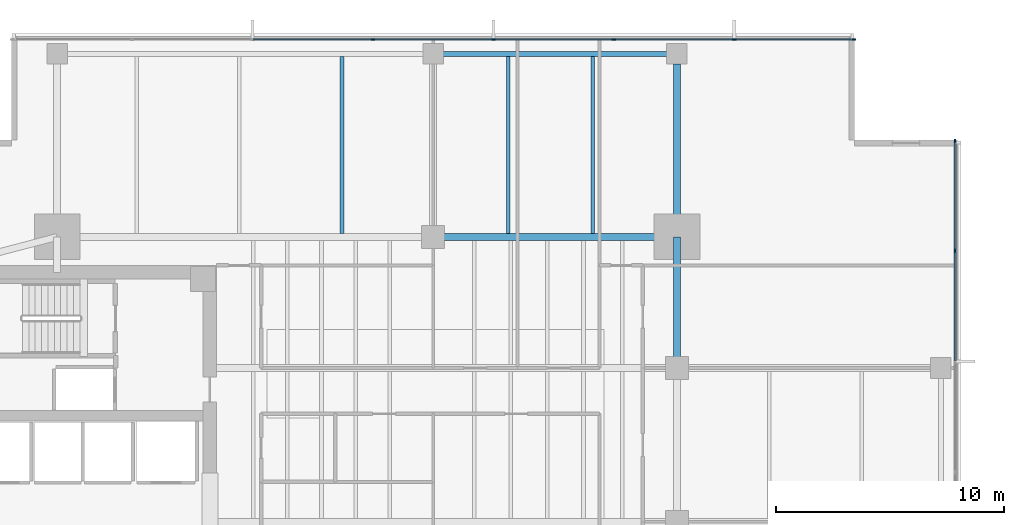
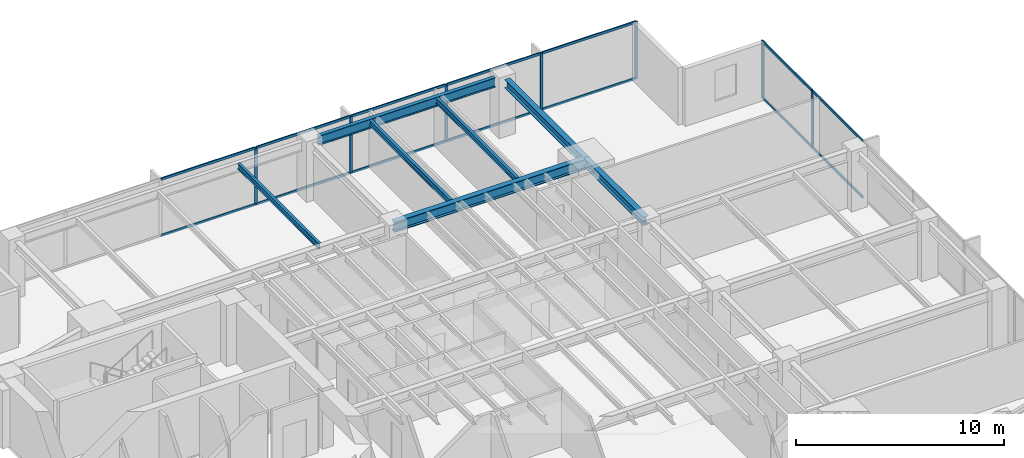
# One storey, part 6 of 14: 21 members, 7 beams, 2 elements without a shape of their own.
"""IFC4 building model written with IfcOpenShell, lengths in metres."""

from ifc_helpers import new_model, si_unit, direction, frame, origin, origin_2d, place, context, subcontext, project, spatial, rectangle, i_section, extrude, material, layer, layer_set, material_profile, profile_set, type_object, element, aggregate, save


model = new_model("IFC4")

# Units and contexts
model_context = context("Model", 3, precision=1e-05, world=origin(), true_north=direction((0.0, 1.0)))
body_context = subcontext(model_context, "Body", "Model", "MODEL_VIEW")
ifc_project = project(units=[si_unit("LENGTHUNIT", "METRE"), si_unit("AREAUNIT", "SQUARE_METRE"), si_unit("VOLUMEUNIT", "CUBIC_METRE"), si_unit("PLANEANGLEUNIT", "RADIAN"), si_unit("MASSUNIT", "GRAM", prefix="KILO")], contexts=[model_context])

# Site, building, storey
site_placement = place(None, origin())
site = spatial("IfcSite", under=ifc_project, at=site_placement, CompositionType="ELEMENT")
building_placement = place(site_placement, origin())
building = spatial("IfcBuilding", under=site, at=building_placement, Name="Kinhvarn Gate Tower", CompositionType="ELEMENT")
storey_placement = place(building_placement, frame((0.0, 0.0, 155.5)))
storey = spatial("IfcBuildingStorey", under=building, at=storey_placement, Name="L41", CompositionType="ELEMENT", Elevation=155.5)

# Curtain wall, members
ifc_material_1 = material(Name="Anodised aluminium AW-6063", Category="aluminium")
ifc_layer = layer(ifc_material_1, 0.179931640625)
ifc_layer_set = layer_set([ifc_layer], Name="Anodised aluminium AW-6063")
curtain_wall_type = type_object("IfcCurtainWallType", Name="CW-SYS-3", PredefinedType="NOTDEFINED", material=ifc_layer_set)
curtain_wall_1_placement = place(storey_placement, origin())
curtain_wall_1 = element("IfcCurtainWall", 1, at=curtain_wall_1_placement, inside=storey, type_object=curtain_wall_type, Name="Curtain Wall CW3 (L41)", PredefinedType="NOTDEFINED")
ifc_material_profile_1 = material_profile(ifc_material_1, rectangle(XDim=0.06494140625, YDim=0.159912109375, at=origin_2d()), Name="ALU 65x160")
ifc_profile_set_1 = profile_set([ifc_material_profile_1], Name="Anodised aluminium AW-6063")
member_type_1 = type_object("IfcMemberType", Name="CW-MUL-160", PredefinedType="MULLION", material=ifc_profile_set_1)
member_1_placement = place(storey_placement, frame((45.967529296875, 46.409912109375, 0.0), z_axis=(0.0, 0.0, 1.0), x_axis=(0.0, -1.0, 0.0)))
member_1 = element("IfcMember", 2, at=member_1_placement, type_object=member_type_1, Name="CW3 mullion 1", PredefinedType="MULLION", context=body_context, shape_type="SweptSolid", body=[
    extrude(rectangle(XDim=0.06494140625, YDim=0.159912109375, at=origin_2d()), origin(), (0.0, 0.0, 1.0), 3.3701171875),
])
member_2_placement = place(storey_placement, frame((40.71435546875, 46.409912109375, 0.0), z_axis=(0.0, 0.0, 1.0), x_axis=(0.0, -1.0, 0.0)))
member_2 = element("IfcMember", 3, at=member_2_placement, type_object=member_type_1, Name="CW3 mullion 2", PredefinedType="MULLION", context=body_context, shape_type="SweptSolid", body=[
    extrude(rectangle(XDim=0.06494140625, YDim=0.159912109375, at=origin_2d()), origin(), (0.0, 0.0, 1.0), 3.3701171875),
])
member_3_placement = place(storey_placement, frame((35.428466796875, 46.409912109375, 0.0), z_axis=(0.0, 0.0, 1.0), x_axis=(0.0, -1.0, 0.0)))
member_3 = element("IfcMember", 4, at=member_3_placement, type_object=member_type_1, Name="CW3 mullion 3", PredefinedType="MULLION", context=body_context, shape_type="SweptSolid", body=[
    extrude(rectangle(XDim=0.06494140625, YDim=0.159912109375, at=origin_2d()), origin(), (0.0, 0.0, 1.0), 3.3701171875),
])
member_4_placement = place(storey_placement, frame((30.142822265625, 46.409912109375, 0.0), z_axis=(0.0, 0.0, 1.0), x_axis=(0.0, -1.0, 0.0)))
member_4 = element("IfcMember", 5, at=member_4_placement, type_object=member_type_1, Name="CW3 mullion 4", PredefinedType="MULLION", context=body_context, shape_type="SweptSolid", body=[
    extrude(rectangle(XDim=0.06494140625, YDim=0.159912109375, at=origin_2d()), origin(), (0.0, 0.0, 1.0), 3.3701171875),
])
member_5_placement = place(storey_placement, frame((24.857177734375, 46.409912109375, 0.0), z_axis=(0.0, 0.0, 1.0), x_axis=(0.0, -1.0, 0.0)))
member_5 = element("IfcMember", 6, at=member_5_placement, type_object=member_type_1, Name="CW3 mullion 5", PredefinedType="MULLION", context=body_context, shape_type="SweptSolid", body=[
    extrude(rectangle(XDim=0.06494140625, YDim=0.159912109375, at=origin_2d()), origin(), (0.0, 0.0, 1.0), 3.3701171875),
])

curtain_wall_2_placement = place(storey_placement, origin())
curtain_wall_2 = element("IfcCurtainWall", 7, at=curtain_wall_2_placement, inside=storey, type_object=curtain_wall_type, Name="Curtain Wall CW3 (L41)", PredefinedType="NOTDEFINED")
member_6_placement = place(storey_placement, frame((50.409912109375, 37.142822265625, 0.0), z_axis=(0.0, 0.0, 1.0), x_axis=(-1.0, 0.0, 0.0)))
member_6 = element("IfcMember", 8, at=member_6_placement, type_object=member_type_1, Name="CW3 mullion 7", PredefinedType="MULLION", context=body_context, shape_type="SweptSolid", body=[
    extrude(rectangle(XDim=0.06494140625, YDim=0.159912109375, at=origin_2d()), origin(), (0.0, 0.0, 1.0), 3.3701171875),
])
member_7_placement = place(storey_placement, frame((50.409912109375, 41.967529296875, 0.0), z_axis=(0.0, 0.0, 1.0), x_axis=(-1.0, 0.0, 0.0)))
member_7 = element("IfcMember", 9, at=member_7_placement, type_object=member_type_1, Name="CW3 mullion 8", PredefinedType="MULLION", context=body_context, shape_type="SweptSolid", body=[
    extrude(rectangle(XDim=0.06494140625, YDim=0.159912109375, at=origin_2d()), origin(), (0.0, 0.0, 1.0), 3.3701171875),
])

# Member
ifc_material_profile_2 = material_profile(ifc_material_1, rectangle(XDim=0.070068359375, YDim=0.139892578125, at=origin_2d()), Name="ALU 70x140")
ifc_profile_set_2 = profile_set([ifc_material_profile_2], Name="Anodised aluminium AW-6063")
member_type_2 = type_object("IfcMemberType", Name="CW-TRN-140", PredefinedType="USERDEFINED", material=ifc_profile_set_2)
member_8_placement = place(storey_placement, frame((45.93505859375, 46.409912109375, 0.034912109375), z_axis=(-1.0, 0.0, 0.0), x_axis=(0.0, -1.0, 0.0)))
member_8 = element("IfcMember", 10, at=member_8_placement, type_object=member_type_2, Name="CW3 transom 1.1", ObjectType="TRANSOM", PredefinedType="USERDEFINED", context=body_context, shape_type="SweptSolid", body=[
    extrude(rectangle(XDim=0.070068359375, YDim=0.139892578125, at=origin_2d()), origin(), (0.0, 0.0, 1.0), 5.188232421875),
])

member_9_placement = place(storey_placement, frame((45.93505859375, 46.409912109375, 3.3349609375), z_axis=(-1.0, 0.0, 0.0), x_axis=(0.0, -1.0, 0.0)))
member_9 = element("IfcMember", 11, at=member_9_placement, type_object=member_type_2, Name="CW3 transom 1.2", ObjectType="TRANSOM", PredefinedType="USERDEFINED", context=body_context, shape_type="SweptSolid", body=[
    extrude(rectangle(XDim=0.070068359375, YDim=0.139892578125, at=origin_2d()), origin(), (0.0, 0.0, 1.0), 5.188232421875),
])

member_10_placement = place(storey_placement, frame((40.681884765625, 46.409912109375, 0.034912109375), z_axis=(-1.0, 0.0, 0.0), x_axis=(0.0, -1.0, 0.0)))
member_10 = element("IfcMember", 12, at=member_10_placement, type_object=member_type_2, Name="CW3 transom 2.1", ObjectType="TRANSOM", PredefinedType="USERDEFINED", context=body_context, shape_type="SweptSolid", body=[
    extrude(rectangle(XDim=0.070068359375, YDim=0.139892578125, at=origin_2d()), origin(), (0.0, 0.0, 1.0), 5.220703125),
])

member_11_placement = place(storey_placement, frame((40.681884765625, 46.409912109375, 3.3349609375), z_axis=(-1.0, 0.0, 0.0), x_axis=(0.0, -1.0, 0.0)))
member_11 = element("IfcMember", 13, at=member_11_placement, type_object=member_type_2, Name="CW3 transom 2.2", ObjectType="TRANSOM", PredefinedType="USERDEFINED", context=body_context, shape_type="SweptSolid", body=[
    extrude(rectangle(XDim=0.070068359375, YDim=0.139892578125, at=origin_2d()), origin(), (0.0, 0.0, 1.0), 5.220703125),
])

member_12_placement = place(storey_placement, frame((35.39599609375, 46.409912109375, 0.034912109375), z_axis=(-1.0, 0.0, 0.0), x_axis=(0.0, -1.0, 0.0)))
member_12 = element("IfcMember", 14, at=member_12_placement, type_object=member_type_2, Name="CW3 transom 3.1", ObjectType="TRANSOM", PredefinedType="USERDEFINED", context=body_context, shape_type="SweptSolid", body=[
    extrude(rectangle(XDim=0.070068359375, YDim=0.139892578125, at=origin_2d()), origin(), (0.0, 0.0, 1.0), 5.220703125),
])

member_13_placement = place(storey_placement, frame((35.39599609375, 46.409912109375, 3.3349609375), z_axis=(-1.0, 0.0, 0.0), x_axis=(0.0, -1.0, 0.0)))
member_13 = element("IfcMember", 15, at=member_13_placement, type_object=member_type_2, Name="CW3 transom 3.2", ObjectType="TRANSOM", PredefinedType="USERDEFINED", context=body_context, shape_type="SweptSolid", body=[
    extrude(rectangle(XDim=0.070068359375, YDim=0.139892578125, at=origin_2d()), origin(), (0.0, 0.0, 1.0), 5.220703125),
])

member_14_placement = place(storey_placement, frame((30.1103515625, 46.409912109375, 0.034912109375), z_axis=(-1.0, 0.0, 0.0), x_axis=(0.0, -1.0, 0.0)))
member_14 = element("IfcMember", 16, at=member_14_placement, type_object=member_type_2, Name="CW3 transom 4.1", ObjectType="TRANSOM", PredefinedType="USERDEFINED", context=body_context, shape_type="SweptSolid", body=[
    extrude(rectangle(XDim=0.070068359375, YDim=0.139892578125, at=origin_2d()), origin(), (0.0, 0.0, 1.0), 5.220703125),
])

member_15_placement = place(storey_placement, frame((30.1103515625, 46.409912109375, 3.3349609375), z_axis=(-1.0, 0.0, 0.0), x_axis=(0.0, -1.0, 0.0)))
member_15 = element("IfcMember", 17, at=member_15_placement, type_object=member_type_2, Name="CW3 transom 4.2", ObjectType="TRANSOM", PredefinedType="USERDEFINED", context=body_context, shape_type="SweptSolid", body=[
    extrude(rectangle(XDim=0.070068359375, YDim=0.139892578125, at=origin_2d()), origin(), (0.0, 0.0, 1.0), 5.220703125),
])

member_16_placement = place(storey_placement, frame((24.82470703125, 46.409912109375, 0.034912109375), z_axis=(-1.0, 0.0, 0.0), x_axis=(0.0, -1.0, 0.0)))
member_16 = element("IfcMember", 18, at=member_16_placement, type_object=member_type_2, Name="CW3 transom 5.1", ObjectType="TRANSOM", PredefinedType="USERDEFINED", context=body_context, shape_type="SweptSolid", body=[
    extrude(rectangle(XDim=0.070068359375, YDim=0.139892578125, at=origin_2d()), origin(), (0.0, 0.0, 1.0), 5.220703125),
])

member_17_placement = place(storey_placement, frame((24.82470703125, 46.409912109375, 3.3349609375), z_axis=(-1.0, 0.0, 0.0), x_axis=(0.0, -1.0, 0.0)))
member_17 = element("IfcMember", 19, at=member_17_placement, type_object=member_type_2, Name="CW3 transom 5.2", ObjectType="TRANSOM", PredefinedType="USERDEFINED", context=body_context, shape_type="SweptSolid", body=[
    extrude(rectangle(XDim=0.070068359375, YDim=0.139892578125, at=origin_2d()), origin(), (0.0, 0.0, 1.0), 5.220703125),
])

aggregate(curtain_wall_1, [member_1, member_2, member_3, member_4, member_5, member_8, member_9, member_10, member_11, member_12, member_13, member_14, member_15, member_16, member_17])

member_18_placement = place(storey_placement, frame((50.409912109375, 32.318115234375, 0.034912109375), z_axis=(0.0, 1.0, 0.0), x_axis=(-1.0, 0.0, 0.0)))
member_18 = element("IfcMember", 20, at=member_18_placement, type_object=member_type_2, Name="CW3 transom 6.1", ObjectType="TRANSOM", PredefinedType="USERDEFINED", context=body_context, shape_type="SweptSolid", body=[
    extrude(rectangle(XDim=0.070068359375, YDim=0.139892578125, at=origin_2d()), origin(), (0.0, 0.0, 1.0), 4.792236328125),
])

member_19_placement = place(storey_placement, frame((50.409912109375, 32.318115234375, 3.3349609375), z_axis=(0.0, 1.0, 0.0), x_axis=(-1.0, 0.0, 0.0)))
member_19 = element("IfcMember", 21, at=member_19_placement, type_object=member_type_2, Name="CW3 transom 6.2", ObjectType="TRANSOM", PredefinedType="USERDEFINED", context=body_context, shape_type="SweptSolid", body=[
    extrude(rectangle(XDim=0.070068359375, YDim=0.139892578125, at=origin_2d()), origin(), (0.0, 0.0, 1.0), 4.792236328125),
])

member_20_placement = place(storey_placement, frame((50.409912109375, 37.17529296875, 0.034912109375), z_axis=(0.0, 1.0, 0.0), x_axis=(-1.0, 0.0, 0.0)))
member_20 = element("IfcMember", 22, at=member_20_placement, type_object=member_type_2, Name="CW3 transom 7.1", ObjectType="TRANSOM", PredefinedType="USERDEFINED", context=body_context, shape_type="SweptSolid", body=[
    extrude(rectangle(XDim=0.070068359375, YDim=0.139892578125, at=origin_2d()), origin(), (0.0, 0.0, 1.0), 4.759765625),
])

member_21_placement = place(storey_placement, frame((50.409912109375, 37.17529296875, 3.3349609375), z_axis=(0.0, 1.0, 0.0), x_axis=(-1.0, 0.0, 0.0)))
member_21 = element("IfcMember", 23, at=member_21_placement, type_object=member_type_2, Name="CW3 transom 7.2", ObjectType="TRANSOM", PredefinedType="USERDEFINED", context=body_context, shape_type="SweptSolid", body=[
    extrude(rectangle(XDim=0.070068359375, YDim=0.139892578125, at=origin_2d()), origin(), (0.0, 0.0, 1.0), 4.759765625),
])

aggregate(curtain_wall_2, [member_6, member_7, member_18, member_19, member_20, member_21])

# Beams
ifc_material_2 = material(Name="Steel S355", Category="steel")
ifc_material_profile_3 = material_profile(ifc_material_2, i_section(OverallWidth=0.300048828125, OverallDepth=0.5, WebThickness=0.014404296875, FlangeThickness=0.028076171875, at=origin_2d()), Name="HEB 500")
ifc_profile_set_3 = profile_set([ifc_material_profile_3], Name="Steel S355")
beam_type_1 = type_object("IfcBeamType", Name="STL-HEB500", PredefinedType="BEAM", material=ifc_profile_set_3)
beam_1_placement = place(storey_placement, frame((38.199951171875, 37.75, 3.1201171875), z_axis=(0.0, 1.0, 0.0), x_axis=(-1.0, 0.0, 0.0)))
element("IfcBeam", 24, at=beam_1_placement, inside=storey, type_object=beam_type_1, Name="Floor Beam PG-14 (L41 MCE-N)", PredefinedType="BEAM", context=body_context, shape_type="SweptSolid", body=[
    extrude(i_section(OverallWidth=0.300048828125, OverallDepth=0.5, WebThickness=0.014404296875, FlangeThickness=0.028076171875, at=origin_2d()), origin(), (0.0, 0.0, 1.0), 7.594970703125),
])
beam_2_placement = place(storey_placement, frame((38.199951171875, 32.0, 3.1201171875), z_axis=(0.0, 1.0, 0.0), x_axis=(-1.0, 0.0, 0.0)))
element("IfcBeam", 25, at=beam_2_placement, inside=storey, type_object=beam_type_1, Name="Floor Beam PG-14 (L41 MG-E-32)", PredefinedType="BEAM", context=body_context, shape_type="SweptSolid", body=[
    extrude(i_section(OverallWidth=0.300048828125, OverallDepth=0.5, WebThickness=0.014404296875, FlangeThickness=0.028076171875, at=origin_2d()), origin(), (0.0, 0.0, 1.0), 5.75),
])
ifc_material_profile_4 = material_profile(ifc_material_2, i_section(OverallWidth=0.300048828125, OverallDepth=0.60009765625, WebThickness=0.015380859375, FlangeThickness=0.030029296875, at=origin_2d()), Name="HEB 600")
ifc_profile_set_4 = profile_set([ifc_material_profile_4], Name="Steel S355")
beam_type_2 = type_object("IfcBeamType", Name="STL-HEB600", PredefinedType="BEAM", material=ifc_profile_set_4)
beam_3_placement = place(storey_placement, frame((27.5, 37.75, 3.070068359375), z_axis=(1.0, 0.0, 0.0), x_axis=(0.0, 1.0, 0.0)))
element("IfcBeam", 26, at=beam_3_placement, inside=storey, type_object=beam_type_2, Name="Floor Beam PG-16 (L41 MG-N2)", PredefinedType="BEAM", context=body_context, shape_type="SweptSolid", body=[
    extrude(i_section(OverallWidth=0.300048828125, OverallDepth=0.60009765625, WebThickness=0.015380859375, FlangeThickness=0.030029296875, at=origin_2d()), origin(), (0.0, 0.0, 1.0), 10.699951171875),
])
ifc_material_profile_5 = material_profile(ifc_material_2, i_section(OverallWidth=0.159912109375, OverallDepth=0.330078125, WebThickness=0.007568359375, FlangeThickness=0.011474609375, at=origin_2d()), Name="IPE 330")
ifc_profile_set_5 = profile_set([ifc_material_profile_5], Name="Steel S355")
beam_type_3 = type_object("IfcBeamType", Name="STL-IPE330", PredefinedType="JOIST", material=ifc_profile_set_5)
for number, where, z_axis, x_axis, name in (
    (27, (23.5, 37.89990234375, 3.205078125), (0.0, 1.0, 0.0), (-1.0, 0.0, 0.0), "Floor Joist SB-03 (L41 JN-X235)"),
    (28, (30.800048828125, 37.89990234375, 3.205078125), (0.0, 1.0, 0.0), (-1.0, 0.0, 0.0), "Floor Joist SB-03 (L41 JN-X308)"),
    (29, (34.5, 37.89990234375, 3.205078125), (0.0, 1.0, 0.0), (-1.0, 0.0, 0.0), "Floor Joist SB-03 (L41 JN-X345)"),
):
    element("IfcBeam", number, at=place(storey_placement, frame(where, z_axis=z_axis, x_axis=x_axis)), inside=storey, type_object=beam_type_3, Name=name, PredefinedType="JOIST", context=body_context, shape_type="SweptSolid", body=[
        extrude(i_section(OverallWidth=0.159912109375, OverallDepth=0.330078125, WebThickness=0.007568359375, FlangeThickness=0.011474609375, at=origin_2d()), origin(), (0.0, 0.0, 1.0), 7.775146484375),
    ])
ifc_material_profile_6 = material_profile(ifc_material_2, i_section(OverallWidth=0.2099609375, OverallDepth=0.550048828125, WebThickness=0.010986328125, FlangeThickness=0.01708984375, at=origin_2d()), Name="IPE 550")
ifc_profile_set_6 = profile_set([ifc_material_profile_6], Name="Steel S355")
beam_type_4 = type_object("IfcBeamType", Name="STL-IPE550", PredefinedType="SPANDREL", material=ifc_profile_set_6)
beam_4_placement = place(storey_placement, frame((27.93505859375, 45.780029296875, 3.094970703125), z_axis=(1.0, 0.0, 0.0), x_axis=(0.0, 1.0, 0.0)))
element("IfcBeam", 30, at=beam_4_placement, inside=storey, type_object=beam_type_4, Name="Floor Spandrel SB-08 (L41 SP-N2)", PredefinedType="SPANDREL", context=body_context, shape_type="SweptSolid", body=[
    extrude(i_section(OverallWidth=0.2099609375, OverallDepth=0.550048828125, WebThickness=0.010986328125, FlangeThickness=0.01708984375, at=origin_2d()), origin(), (0.0, 0.0, 1.0), 9.829833984375),
])

save(model, "model.ifc")
